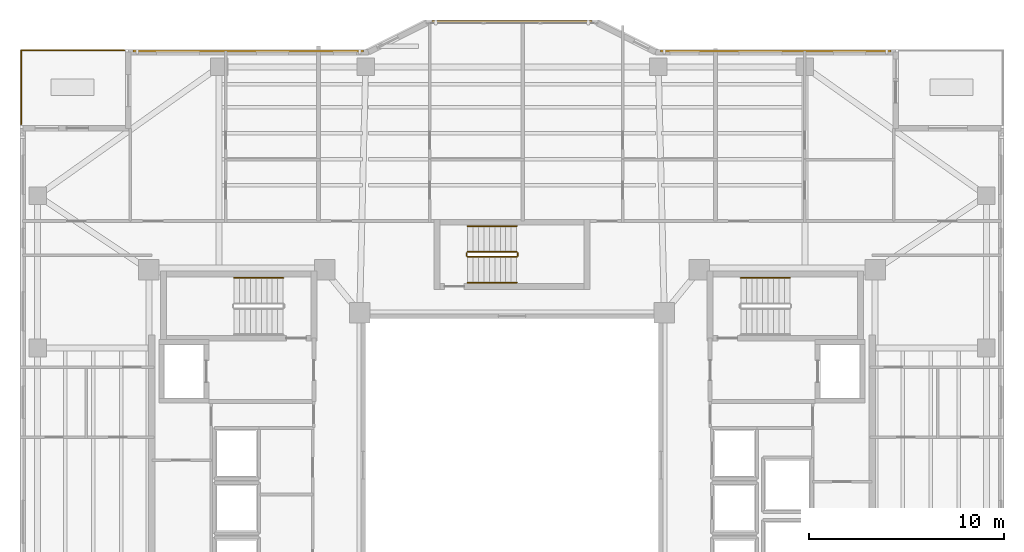
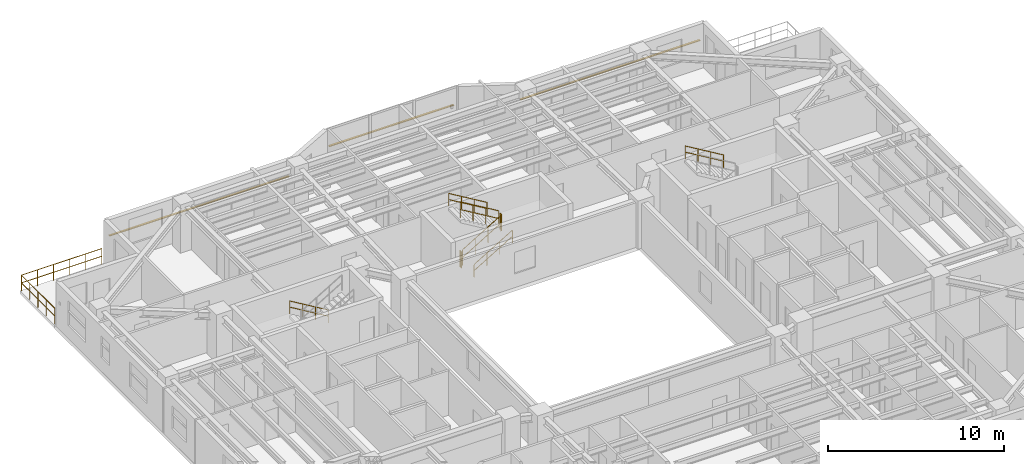
# One storey, part 16 of 17: 10 railings, 3 shading devices.
"""IFC4 building model written with IfcOpenShell, lengths in metres."""

from ifc_helpers import new_model, si_unit, direction, frame, origin, origin_2d, place, context, subcontext, project, spatial, rectangle, circle, extrude, material, material_profile, profile_set, type_object, element, save


model = new_model("IFC4")

# Units and contexts
model_context = context("Model", 3, precision=1e-05, world=origin(), true_north=direction((0.0, 1.0)))
body_context = subcontext(model_context, "Body", "Model", "MODEL_VIEW")
ifc_project = project(units=[si_unit("LENGTHUNIT", "METRE"), si_unit("AREAUNIT", "SQUARE_METRE"), si_unit("VOLUMEUNIT", "CUBIC_METRE"), si_unit("PLANEANGLEUNIT", "RADIAN"), si_unit("MASSUNIT", "GRAM", prefix="KILO")], contexts=[model_context])

# Site, building, storey
site_placement = place(None, origin())
site = spatial("IfcSite", under=ifc_project, at=site_placement, CompositionType="ELEMENT")
building_placement = place(site_placement, origin())
building = spatial("IfcBuilding", under=site, at=building_placement, Name="Tarnavaz Court Tower", CompositionType="ELEMENT")
storey_placement = place(building_placement, frame((0.0, 0.0, 132.60009765625)))
storey = spatial("IfcBuildingStorey", under=building, at=storey_placement, Name="L35", CompositionType="ELEMENT", Elevation=132.60009765625)

# Railings
ifc_material_1 = material(Name="Anodised Aluminium 6063-T6 and Laminated Safety Glass", Category="aluminium")
railing_type_1 = type_object("IfcRailingType", Name="RL-BAL-1120", PredefinedType="BALUSTRADE", material=ifc_material_1)
railing_1_placement = place(storey_placement, frame((-19.860107421875, 21.239990234375, 0.0)))
element("IfcRailing", 1, at=railing_1_placement, inside=storey, type_object=railing_type_1, Name="L35 Terrace 2 N Perimeter Balustrade", PredefinedType="BALUSTRADE", context=body_context, shape_type="SweptSolid", body=[
    extrude(circle(Radius=0.02392578125, at=origin_2d()), frame((0.0, 0.0, 1.09619140625), z_axis=(-1.0, 0.0, 0.0), x_axis=(0.0, -1.0, 0.0)), (0.0, 0.0, 1.0), 5.27978515625),
    extrude(circle(Radius=0.02392578125, at=origin_2d()), frame((0.0, 0.0, 0.56005859375), z_axis=(-1.0, 0.0, 0.0), x_axis=(0.0, -1.0, 0.0)), (0.0, 0.0, 1.0), 5.27978515625),
    extrude(circle(Radius=0.02099609375, at=origin_2d()), origin(), (0.0, 0.0, 1.0), 1.072021484375),
    extrude(circle(Radius=0.02099609375, at=origin_2d()), frame((-1.055908203125, 0.0, 0.0)), (0.0, 0.0, 1.0), 1.072021484375),
    extrude(circle(Radius=0.02099609375, at=origin_2d()), frame((-2.11181640625, 0.0, 0.0)), (0.0, 0.0, 1.0), 1.072021484375),
    extrude(circle(Radius=0.02099609375, at=origin_2d()), frame((-3.16796875, 0.0, 0.0)), (0.0, 0.0, 1.0), 1.072021484375),
    extrude(circle(Radius=0.02099609375, at=origin_2d()), frame((-4.223876953125, 0.0, 0.0)), (0.0, 0.0, 1.0), 1.072021484375),
    extrude(circle(Radius=0.02099609375, at=origin_2d()), frame((-5.27978515625, 0.0, 0.0)), (0.0, 0.0, 1.0), 1.072021484375),
])
railing_2_placement = place(storey_placement, frame((-25.139892578125, 21.239990234375, 0.0)))
element("IfcRailing", 2, at=railing_2_placement, inside=storey, type_object=railing_type_1, Name="L35 Terrace 2 W Perimeter Balustrade", PredefinedType="BALUSTRADE", context=body_context, shape_type="SweptSolid", body=[
    extrude(circle(Radius=0.02392578125, at=origin_2d()), frame((0.0, 0.0, 1.09619140625), z_axis=(0.0, -1.0, 0.0), x_axis=(1.0, 0.0, 0.0)), (0.0, 0.0, 1.0), 3.780029296875),
    extrude(circle(Radius=0.02392578125, at=origin_2d()), frame((0.0, 0.0, 0.56005859375), z_axis=(0.0, -1.0, 0.0), x_axis=(1.0, 0.0, 0.0)), (0.0, 0.0, 1.0), 3.780029296875),
    extrude(circle(Radius=0.02099609375, at=origin_2d()), origin(), (0.0, 0.0, 1.0), 1.072021484375),
    extrude(circle(Radius=0.02099609375, at=origin_2d()), frame((0.0, -0.945068359375, 0.0)), (0.0, 0.0, 1.0), 1.072021484375),
    extrude(circle(Radius=0.02099609375, at=origin_2d()), frame((0.0, -1.89013671875, 0.0)), (0.0, 0.0, 1.0), 1.072021484375),
    extrude(circle(Radius=0.02099609375, at=origin_2d()), frame((0.0, -2.8349609375, 0.0)), (0.0, 0.0, 1.0), 1.072021484375),
    extrude(circle(Radius=0.02099609375, at=origin_2d()), frame((0.0, -3.780029296875, 0.0)), (0.0, 0.0, 1.0), 1.072021484375),
])
ifc_material_2 = material(Name="Brushed Stainless Steel", Category="steel")
railing_type_2 = type_object("IfcRailingType", Name="RL-HANDRAIL-900", PredefinedType="HANDRAIL", material=ifc_material_2)
railing_3_placement = place(storey_placement, frame((-11.719970703125, 9.590087890625, 0.16748046875)))
element("IfcRailing", 3, at=railing_3_placement, inside=storey, type_object=railing_type_2, Name="L35 ST-W1 stair handrail 1", PredefinedType="HANDRAIL", context=body_context, shape_type="SweptSolid", body=[
    extrude(circle(Radius=0.02392578125, at=origin_2d()), frame((0.0, 0.0, 0.8759765625), z_axis=(-0.858196387827, 0.0, 0.513321497621), x_axis=(0.0, -1.0, 0.0)), (0.0, 0.0, 1.0), 2.9365234375),
    extrude(circle(Radius=0.02392578125, at=origin_2d()), frame((0.0, 0.0, 0.449951171875), z_axis=(-0.858196387827, 0.0, 0.513321497621), x_axis=(0.0, -1.0, 0.0)), (0.0, 0.0, 1.0), 2.9365234375),
    extrude(circle(Radius=0.02099609375, at=origin_2d()), origin(), (0.0, 0.0, 1.0), 0.851806640625),
    extrude(circle(Radius=0.02099609375, at=origin_2d()), frame((-0.840087890625, 0.0, 0.50244140625)), (0.0, 0.0, 1.0), 0.851806640625),
    extrude(circle(Radius=0.02099609375, at=origin_2d()), frame((-1.679931640625, 0.0, 1.0048828125)), (0.0, 0.0, 1.0), 0.851806640625),
    extrude(circle(Radius=0.02099609375, at=origin_2d()), frame((-2.52001953125, 0.0, 1.50732421875)), (0.0, 0.0, 1.0), 0.851806640625),
])
railing_4_placement = place(storey_placement, frame((14.239990234375, 9.590087890625, 1.84228515625)))
element("IfcRailing", 4, at=railing_4_placement, inside=storey, type_object=railing_type_2, Name="L35 ST-E1 stair handrail 2", PredefinedType="HANDRAIL", context=body_context, shape_type="SweptSolid", body=[
    extrude(circle(Radius=0.02392578125, at=origin_2d()), frame((0.0, 0.0, 0.8759765625), z_axis=(-0.858159760407, 0.0, 0.513382728203), x_axis=(0.0, -1.0, 0.0)), (0.0, 0.0, 1.0), 2.9365234375),
    extrude(circle(Radius=0.02392578125, at=origin_2d()), frame((0.0, 0.0, 0.449951171875), z_axis=(-0.858159760407, 0.0, 0.513382728203), x_axis=(0.0, -1.0, 0.0)), (0.0, 0.0, 1.0), 2.9365234375),
    extrude(circle(Radius=0.02099609375, at=origin_2d()), origin(), (0.0, 0.0, 1.0), 0.851806640625),
    extrude(circle(Radius=0.02099609375, at=origin_2d()), frame((-0.840087890625, 0.0, 0.50244140625)), (0.0, 0.0, 1.0), 0.851806640625),
    extrude(circle(Radius=0.02099609375, at=origin_2d()), frame((-1.679931640625, 0.0, 1.005126953125)), (0.0, 0.0, 1.0), 0.851806640625),
    extrude(circle(Radius=0.02099609375, at=origin_2d()), frame((-2.52001953125, 0.0, 1.507568359375)), (0.0, 0.0, 1.0), 0.851806640625),
])
railing_5_placement = place(storey_placement, frame((-2.280029296875, 9.35009765625, 0.16748046875)))
element("IfcRailing", 5, at=railing_5_placement, inside=storey, type_object=railing_type_2, Name="L35 ST-N1 stair handrail 1", PredefinedType="HANDRAIL", context=body_context, shape_type="SweptSolid", body=[
    extrude(circle(Radius=0.02392578125, at=origin_2d()), frame((0.0, 0.0, 0.8759765625), z_axis=(0.858196387827, 0.0, 0.513321497621), x_axis=(0.0, 1.0, 0.0)), (0.0, 0.0, 1.0), 2.9365234375),
    extrude(circle(Radius=0.02392578125, at=origin_2d()), frame((0.0, 0.0, 0.449951171875), z_axis=(0.858196387827, 0.0, 0.513321497621), x_axis=(0.0, 1.0, 0.0)), (0.0, 0.0, 1.0), 2.9365234375),
    extrude(circle(Radius=0.02099609375, at=origin_2d()), origin(), (0.0, 0.0, 1.0), 0.851806640625),
    extrude(circle(Radius=0.02099609375, at=origin_2d()), frame((0.840087890625, 0.0, 0.50244140625)), (0.0, 0.0, 1.0), 0.851806640625),
    extrude(circle(Radius=0.02099609375, at=origin_2d()), frame((1.679931640625, 0.0, 1.0048828125)), (0.0, 0.0, 1.0), 0.851806640625),
    extrude(circle(Radius=0.02099609375, at=origin_2d()), frame((2.52001953125, 0.0, 1.50732421875)), (0.0, 0.0, 1.0), 0.851806640625),
])
railing_6_placement = place(storey_placement, frame((0.239990234375, 12.239990234375, 1.84228515625)))
element("IfcRailing", 6, at=railing_6_placement, inside=storey, type_object=railing_type_2, Name="L35 ST-N1 stair handrail 2", PredefinedType="HANDRAIL", context=body_context, shape_type="SweptSolid", body=[
    extrude(circle(Radius=0.02392578125, at=origin_2d()), frame((0.0, 0.0, 0.8759765625), z_axis=(-0.858159760407, 0.0, 0.513382728203), x_axis=(0.0, -1.0, 0.0)), (0.0, 0.0, 1.0), 2.9365234375),
    extrude(circle(Radius=0.02392578125, at=origin_2d()), frame((0.0, 0.0, 0.449951171875), z_axis=(-0.858159760407, 0.0, 0.513382728203), x_axis=(0.0, -1.0, 0.0)), (0.0, 0.0, 1.0), 2.9365234375),
    extrude(circle(Radius=0.02099609375, at=origin_2d()), origin(), (0.0, 0.0, 1.0), 0.851806640625),
    extrude(circle(Radius=0.02099609375, at=origin_2d()), frame((-0.840087890625, 0.0, 0.50244140625)), (0.0, 0.0, 1.0), 0.851806640625),
    extrude(circle(Radius=0.02099609375, at=origin_2d()), frame((-1.679931640625, 0.0, 1.005126953125)), (0.0, 0.0, 1.0), 0.851806640625),
    extrude(circle(Radius=0.02099609375, at=origin_2d()), frame((-2.52001953125, 0.0, 1.507568359375)), (0.0, 0.0, 1.0), 0.851806640625),
])
ifc_material_3 = material(Name="Galvanized Painted Tubular Steel", Category="steel")
railing_type_3 = type_object("IfcRailingType", Name="RL-STGUARD-1120", PredefinedType="GUARDRAIL", material=ifc_material_3)
railing_7_placement = place(storey_placement, frame((-2.280029296875, 10.669921875, 0.16748046875)))
element("IfcRailing", 7, at=railing_7_placement, inside=storey, type_object=railing_type_3, Name="L35 ST-N1 stair guard 1", PredefinedType="GUARDRAIL", context=body_context, shape_type="SweptSolid", body=[
    extrude(circle(Radius=0.02392578125, at=origin_2d()), frame((0.0, 0.0, 1.09619140625), z_axis=(0.858196387827, 0.0, 0.513321497621), x_axis=(0.0, 1.0, 0.0)), (0.0, 0.0, 1.0), 2.9365234375),
    extrude(circle(Radius=0.02392578125, at=origin_2d()), frame((0.0, 0.0, 0.56005859375), z_axis=(0.858196387827, 0.0, 0.513321497621), x_axis=(0.0, 1.0, 0.0)), (0.0, 0.0, 1.0), 2.9365234375),
    extrude(circle(Radius=0.02099609375, at=origin_2d()), origin(), (0.0, 0.0, 1.0), 1.072021484375),
    extrude(circle(Radius=0.02099609375, at=origin_2d()), frame((0.840087890625, 0.0, 0.50244140625)), (0.0, 0.0, 1.0), 1.072021484375),
    extrude(circle(Radius=0.02099609375, at=origin_2d()), frame((1.679931640625, 0.0, 1.0048828125)), (0.0, 0.0, 1.0), 1.072021484375),
    extrude(circle(Radius=0.02099609375, at=origin_2d()), frame((2.52001953125, 0.0, 1.50732421875)), (0.0, 0.0, 1.0), 1.072021484375),
])
railing_8_placement = place(storey_placement, frame((0.2900390625, 10.719970703125, 1.6748046875)))
element("IfcRailing", 8, at=railing_8_placement, inside=storey, type_object=railing_type_3, Name="L35 ST-N1 stair guard 2", PredefinedType="GUARDRAIL", context=body_context, shape_type="SweptSolid", body=[
    extrude(circle(Radius=0.02392578125, at=origin_2d()), frame((0.0, 0.0, 1.09619140625), z_axis=(0.0, 1.0, 0.0), x_axis=(-1.0, 0.0, 0.0)), (0.0, 0.0, 1.0), 0.150146484375),
    extrude(circle(Radius=0.02392578125, at=origin_2d()), frame((0.0, 0.0, 0.56005859375), z_axis=(0.0, 1.0, 0.0), x_axis=(-1.0, 0.0, 0.0)), (0.0, 0.0, 1.0), 0.150146484375),
    extrude(circle(Radius=0.02099609375, at=origin_2d()), origin(), (0.0, 0.0, 1.0), 1.072021484375),
    extrude(circle(Radius=0.02099609375, at=origin_2d()), frame((0.0, 0.150146484375, 0.0)), (0.0, 0.0, 1.0), 1.072021484375),
])
railing_9_placement = place(storey_placement, frame((0.239990234375, 10.919921875, 1.84228515625)))
element("IfcRailing", 9, at=railing_9_placement, inside=storey, type_object=railing_type_3, Name="L35 ST-N1 stair guard 3", PredefinedType="GUARDRAIL", context=body_context, shape_type="SweptSolid", body=[
    extrude(circle(Radius=0.02392578125, at=origin_2d()), frame((0.0, 0.0, 1.09619140625), z_axis=(-0.858159760407, 0.0, 0.513382728203), x_axis=(0.0, -1.0, 0.0)), (0.0, 0.0, 1.0), 2.9365234375),
    extrude(circle(Radius=0.02392578125, at=origin_2d()), frame((0.0, 0.0, 0.56005859375), z_axis=(-0.858159760407, 0.0, 0.513382728203), x_axis=(0.0, -1.0, 0.0)), (0.0, 0.0, 1.0), 2.9365234375),
    extrude(circle(Radius=0.02099609375, at=origin_2d()), origin(), (0.0, 0.0, 1.0), 1.072021484375),
    extrude(circle(Radius=0.02099609375, at=origin_2d()), frame((-0.840087890625, 0.0, 0.50244140625)), (0.0, 0.0, 1.0), 1.072021484375),
    extrude(circle(Radius=0.02099609375, at=origin_2d()), frame((-1.679931640625, 0.0, 1.005126953125)), (0.0, 0.0, 1.0), 1.072021484375),
    extrude(circle(Radius=0.02099609375, at=origin_2d()), frame((-2.52001953125, 0.0, 1.507568359375)), (0.0, 0.0, 1.0), 1.072021484375),
])
railing_10_placement = place(storey_placement, frame((-2.330078125, 10.719970703125, 0.0)))
element("IfcRailing", 10, at=railing_10_placement, inside=storey, type_object=railing_type_3, Name="L35 ST-N1 stair guard 4", PredefinedType="GUARDRAIL", context=body_context, shape_type="SweptSolid", body=[
    extrude(circle(Radius=0.02392578125, at=origin_2d()), frame((0.0, 0.0, 1.09619140625), z_axis=(0.0, 1.0, 0.0), x_axis=(-1.0, 0.0, 0.0)), (0.0, 0.0, 1.0), 0.150146484375),
    extrude(circle(Radius=0.02392578125, at=origin_2d()), frame((0.0, 0.0, 0.56005859375), z_axis=(0.0, 1.0, 0.0), x_axis=(-1.0, 0.0, 0.0)), (0.0, 0.0, 1.0), 0.150146484375),
    extrude(circle(Radius=0.02099609375, at=origin_2d()), origin(), (0.0, 0.0, 1.0), 1.072021484375),
    extrude(circle(Radius=0.02099609375, at=origin_2d()), frame((0.0, 0.150146484375, 0.0)), (0.0, 0.0, 1.0), 1.072021484375),
])

# Shading devices
ifc_material_4 = material(Name="Kiln-Fired Khorasan Terracotta Ceramic", Category="masonry")
ifc_material_profile = material_profile(ifc_material_4, rectangle(XDim=0.1201171875, YDim=0.06005859375, at=origin_2d()), Name="TC BAGUETTE 120X60")
ifc_profile_set = profile_set([ifc_material_profile], Name="Kiln-Fired Khorasan Terracotta Ceramic")
shading_device_type = type_object("IfcShadingDeviceType", Name="SD-BAG-120", PredefinedType="USERDEFINED", material=ifc_profile_set)
shading_device_1_placement = place(storey_placement, frame((-19.39990234375, 21.2099609375, 1.849853515625), z_axis=(1.0, 0.0, 0.0), x_axis=(0.0, 1.0, 0.0)))
element("IfcShadingDevice", 11, at=shading_device_1_placement, inside=storey, type_object=shading_device_type, Name="L35 Terracotta Baguette Screen FBG05", ObjectType="BAGUETTE", PredefinedType="USERDEFINED", context=body_context, shape_type="SweptSolid", body=[
    extrude(rectangle(XDim=0.1201171875, YDim=0.06005859375, at=origin_2d()), origin(), (0.0, 0.0, 1.0), 11.7998046875),
])
shading_device_2_placement = place(storey_placement, frame((-4.10009765625, 22.7099609375, 1.7998046875), z_axis=(1.0, 0.0, 0.0), x_axis=(0.0, 1.0, 0.0)))
element("IfcShadingDevice", 12, at=shading_device_2_placement, inside=storey, type_object=shading_device_type, Name="L35 Terracotta Baguette Screen PBG7", ObjectType="BAGUETTE", PredefinedType="USERDEFINED", context=body_context, shape_type="SweptSolid", body=[
    extrude(rectangle(XDim=0.1201171875, YDim=0.06005859375, at=origin_2d()), origin(), (0.0, 0.0, 1.0), 8.2001953125),
])
shading_device_3_placement = place(storey_placement, frame((7.60009765625, 21.2099609375, 1.849853515625), z_axis=(1.0, 0.0, 0.0), x_axis=(0.0, 1.0, 0.0)))
element("IfcShadingDevice", 13, at=shading_device_3_placement, inside=storey, type_object=shading_device_type, Name="L35 Terracotta Baguette Screen FBG09", ObjectType="BAGUETTE", PredefinedType="USERDEFINED", context=body_context, shape_type="SweptSolid", body=[
    extrude(rectangle(XDim=0.1201171875, YDim=0.06005859375, at=origin_2d()), origin(), (0.0, 0.0, 1.0), 11.7998046875),
])

save(model, "model.ifc")
